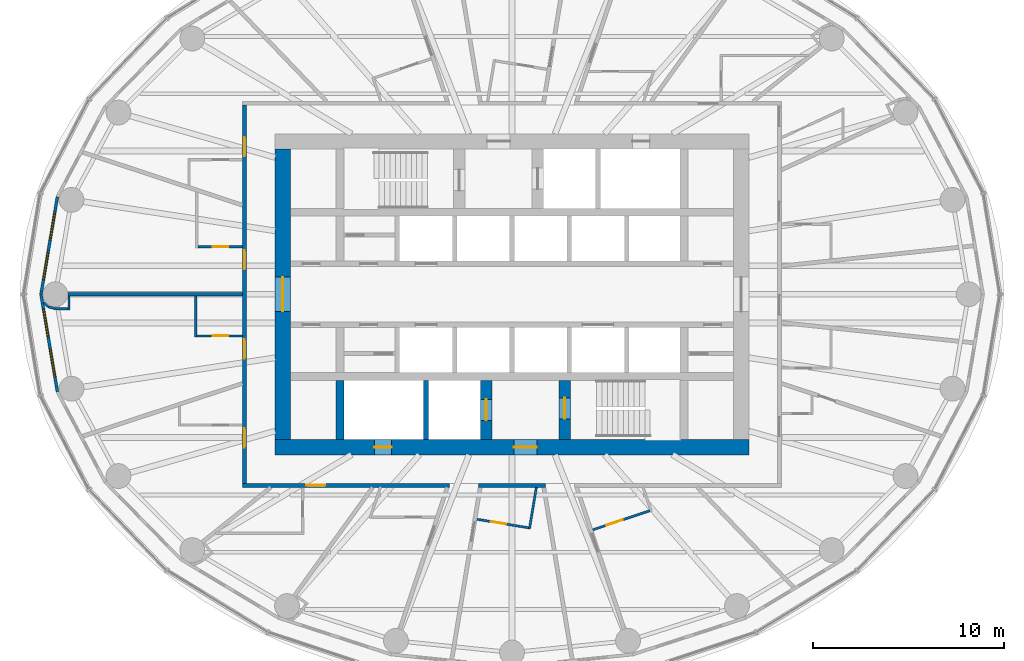
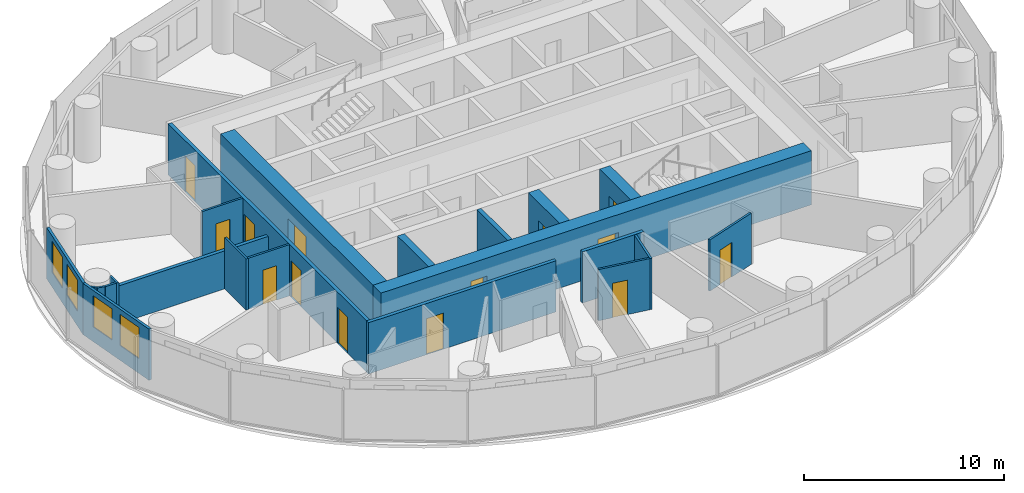
# One storey, part 7 of 13: 22 walls, 14 doors, 4 windows, 18 openings.
"""IFC4 building model written with IfcOpenShell, lengths in metres."""

from ifc_helpers import new_model, si_unit, direction, frame, frame_2d, origin, place, context, subcontext, project, spatial, rectangle, extrude, material, layer, layer_set, type_object, element, fill, save


model = new_model("IFC4")

# Units and contexts
model_context = context("Model", 3, precision=1e-05, world=origin(), true_north=direction((0.0, 1.0)))
body_context = subcontext(model_context, "Body", "Model", "MODEL_VIEW")
ifc_project = project(units=[si_unit("LENGTHUNIT", "METRE"), si_unit("AREAUNIT", "SQUARE_METRE"), si_unit("VOLUMEUNIT", "CUBIC_METRE"), si_unit("PLANEANGLEUNIT", "RADIAN"), si_unit("MASSUNIT", "GRAM", prefix="KILO")], contexts=[model_context])

# Site, building, storey
site_placement = place(None, origin())
site = spatial("IfcSite", under=ifc_project, at=site_placement, CompositionType="ELEMENT")
building_placement = place(site_placement, origin())
building = spatial("IfcBuilding", under=site, at=building_placement, Name="Hankou Lantern Tower", CompositionType="ELEMENT")
storey_placement = place(building_placement, frame((0.0, 0.0, 125.39990234375)))
storey = spatial("IfcBuildingStorey", under=building, at=storey_placement, Name="L32", CompositionType="ELEMENT", Elevation=125.39990234375)

# Wall, openings, doors
ifc_material_1 = material(Name="Concrete C60", Category="concrete")
ifc_layer_1 = layer(ifc_material_1, 0.800048828125)
ifc_layer_set_1 = layer_set([ifc_layer_1], Name="Concrete C60")
wall_type_1 = type_object("IfcWallType", Name="CW2 CORE WALL 800", PredefinedType="SHEAR", material=ifc_layer_set_1)
wall_1_placement = place(storey_placement, frame((12.39990234375, -8.0, 0.0), z_axis=(0.0, 0.0, 1.0), x_axis=(-1.0, 0.0, 0.0)))
wall_1 = element("IfcWall", 1, at=wall_1_placement, inside=storey, type_object=wall_type_1, Name="Core wall south L32", PredefinedType="SHEAR", context=body_context, shape_type="SweptSolid", body=[
    extrude(rectangle(XDim=24.7998046875, YDim=0.800048828125, at=frame_2d((12.39990234375, 0.0))), origin(), (0.0, 0.0, 1.0), 3.300048828125),
])
opening_1_placement = place(wall_1_placement, frame((11.10009765625, 0.0, 0.0)))
opening_1 = element("IfcOpeningElement", 2, at=opening_1_placement, cuts=wall_1, Name="Opening D5", PredefinedType="OPENING", context=body_context, shape_type="SweptSolid", body=[
    extrude(rectangle(XDim=1.199951171875, YDim=2.199951171875, at=frame_2d((0.60009765625, 1.10009765625))), frame((0.0, 0.409912109375, 0.0), z_axis=(0.0, -1.0, 0.0), x_axis=(1.0, 0.0, 0.0)), (0.0, 0.0, 1.0), 0.820068359375),
])
opening_2_placement = place(wall_1_placement, frame((18.699951171875, 0.0, 0.0)))
opening_2 = element("IfcOpeningElement", 3, at=opening_2_placement, cuts=wall_1, Name="Opening D7", PredefinedType="OPENING", context=body_context, shape_type="SweptSolid", body=[
    extrude(rectangle(XDim=0.89990234375, YDim=2.199951171875, at=frame_2d((0.449951171875, 1.10009765625))), frame((0.0, 0.409912109375, 0.0), z_axis=(0.0, -1.0, 0.0), x_axis=(1.0, 0.0, 0.0)), (0.0, 0.0, 1.0), 0.820068359375),
])
ifc_material_2 = material(Name="Steel door leaf", Category="steel")
door_type_1 = type_object("IfcDoorType", Name="D5 STAIR LOBBY DOOR 1200X2200", OperationType="SINGLE_SWING_LEFT", PredefinedType="DOOR", material=ifc_material_2)
door_1_placement = place(opening_1_placement, origin())
door_1 = element("IfcDoor", 4, at=door_1_placement, inside=storey, type_object=door_type_1, Name="Stair B lobby door", OperationType="SINGLE_SWING_LEFT", OverallHeight=2.199951171875, OverallWidth=1.199951171875, PredefinedType="DOOR", context=body_context, shape_type="SweptSolid", body=[
    extrude(rectangle(XDim=1.199951171875, YDim=2.199951171875, at=frame_2d((0.60009765625, 1.10009765625))), frame((0.0, 0.02490234375, 0.0), z_axis=(0.0, -1.0, 0.0), x_axis=(1.0, 0.0, 0.0)), (0.0, 0.0, 1.0), 0.050048828125),
])
fill(opening_1, door_1)
ifc_material_3 = material(Name="Steel door leaf", Category="steel")
door_type_2 = type_object("IfcDoorType", Name="D7 RISER DOOR 900X2200", OperationType="SINGLE_SWING_LEFT", PredefinedType="DOOR", material=ifc_material_3)
door_2_placement = place(opening_2_placement, origin())
door_2 = element("IfcDoor", 5, at=door_2_placement, inside=storey, type_object=door_type_2, Name="Riser S1 door", OperationType="SINGLE_SWING_RIGHT", OverallHeight=2.199951171875, OverallWidth=0.89990234375, PredefinedType="DOOR", context=body_context, shape_type="SweptSolid", body=[
    extrude(rectangle(XDim=0.89990234375, YDim=2.199951171875, at=frame_2d((0.449951171875, 1.10009765625))), frame((0.0, 0.02490234375, 0.0), z_axis=(0.0, -1.0, 0.0), x_axis=(1.0, 0.0, 0.0)), (0.0, 0.0, 1.0), 0.050048828125),
])
fill(opening_2, door_2)

# Wall, opening, door
wall_2_placement = place(storey_placement, frame((-12.0, 7.60009765625, 0.0), z_axis=(0.0, 0.0, 1.0), x_axis=(0.0, -1.0, 0.0)))
wall_2 = element("IfcWall", 6, at=wall_2_placement, inside=storey, type_object=wall_type_1, Name="Core wall west L32", PredefinedType="SHEAR", context=body_context, shape_type="SweptSolid", body=[
    extrude(rectangle(XDim=15.2001953125, YDim=0.800048828125, at=frame_2d((7.60009765625, 0.0))), origin(), (0.0, 0.0, 1.0), 3.300048828125),
])
opening_3_placement = place(wall_2_placement, frame((6.699951171875, 0.0, 0.0)))
opening_3 = element("IfcOpeningElement", 7, at=opening_3_placement, cuts=wall_2, Name="Opening D6", PredefinedType="OPENING", context=body_context, shape_type="SweptSolid", body=[
    extrude(rectangle(XDim=1.800048828125, YDim=2.199951171875, at=frame_2d((0.89990234375, 1.10009765625))), frame((0.0, 0.409912109375, 0.0), z_axis=(0.0, -1.0, 0.0), x_axis=(1.0, 0.0, 0.0)), (0.0, 0.0, 1.0), 0.820068359375),
])
ifc_material_4 = material(Name="Steel door leaf", Category="steel")
door_type_3 = type_object("IfcDoorType", Name="D6 LIFT LOBBY DOOR 1800X2200", OperationType="DOUBLE_DOOR_DOUBLE_SWING", PredefinedType="DOOR", material=ifc_material_4)
door_3_placement = place(opening_3_placement, origin())
door_3 = element("IfcDoor", 8, at=door_3_placement, inside=storey, type_object=door_type_3, Name="Lift lobby west door", OperationType="DOUBLE_DOOR_DOUBLE_SWING", OverallHeight=2.199951171875, OverallWidth=1.800048828125, PredefinedType="DOOR", context=body_context, shape_type="SweptSolid", body=[
    extrude(rectangle(XDim=1.800048828125, YDim=2.199951171875, at=frame_2d((0.89990234375, 1.10009765625))), frame((0.0, 0.02490234375, 0.0), z_axis=(0.0, -1.0, 0.0), x_axis=(1.0, 0.0, 0.0)), (0.0, 0.0, 1.0), 0.050048828125),
])
fill(opening_3, door_3)

# Wall
ifc_material_5 = material(Name="Concrete C60", Category="concrete")
ifc_layer_2 = layer(ifc_material_5, 0.39990234375)
ifc_layer_set_2 = layer_set([ifc_layer_2], Name="Concrete C60")
wall_type_2 = type_object("IfcWallType", Name="CW4 CORE CROSS WALL 400", PredefinedType="SHEAR", material=ifc_layer_set_2)
wall_3_placement = place(storey_placement, frame((-9.0, -7.60009765625, 0.0), z_axis=(0.0, 0.0, 1.0), x_axis=(0.0, 1.0, 0.0)))
element("IfcWall", 9, at=wall_3_placement, inside=storey, type_object=wall_type_2, Name="Core strip wall L32", PredefinedType="SHEAR", context=body_context, shape_type="SweptSolid", body=[
    extrude(rectangle(XDim=3.10009765625, YDim=0.39990234375, at=frame_2d((1.550048828125, 0.0))), origin(), (0.0, 0.0, 1.0), 3.300048828125),
])

# Wall, opening, door
ifc_material_6 = material(Name="Concrete C60", Category="concrete")
ifc_layer_3 = layer(ifc_material_6, 0.60009765625)
ifc_layer_set_3 = layer_set([ifc_layer_3], Name="Concrete C60")
wall_type_3 = type_object("IfcWallType", Name="CW6 STAIR AND SHAFT WALL 600", PredefinedType="SHEAR", material=ifc_layer_set_3)
wall_4_placement = place(storey_placement, frame((2.75, -7.60009765625, 0.0), z_axis=(0.0, 0.0, 1.0), x_axis=(0.0, 1.0, 0.0)))
wall_4 = element("IfcWall", 10, at=wall_4_placement, inside=storey, type_object=wall_type_3, Name="Stair wall L32", PredefinedType="SHEAR", context=body_context, shape_type="SweptSolid", body=[
    extrude(rectangle(XDim=3.10009765625, YDim=0.60009765625, at=frame_2d((1.550048828125, 0.0))), origin(), (0.0, 0.0, 1.0), 3.300048828125),
])
opening_4_placement = place(wall_4_placement, frame((1.074951171875, 0.0, 0.0)))
opening_4 = element("IfcOpeningElement", 11, at=opening_4_placement, cuts=wall_4, Name="Opening D4", PredefinedType="OPENING", context=body_context, shape_type="SweptSolid", body=[
    extrude(rectangle(XDim=1.10009765625, YDim=2.199951171875, at=frame_2d((0.550048828125, 1.10009765625))), frame((0.0, 0.31005859375, 0.0), z_axis=(0.0, -1.0, 0.0), x_axis=(1.0, 0.0, 0.0)), (0.0, 0.0, 1.0), 0.6201171875),
])
ifc_material_7 = material(Name="Steel door leaf", Category="steel")
door_type_4 = type_object("IfcDoorType", Name="D4 STAIR DOOR 1100X2200", OperationType="SINGLE_SWING_LEFT", PredefinedType="DOOR", material=ifc_material_7)
door_4_placement = place(opening_4_placement, origin())
door_4 = element("IfcDoor", 12, at=door_4_placement, inside=storey, type_object=door_type_4, Name="Stair B door", OperationType="SINGLE_SWING_RIGHT", OverallHeight=2.199951171875, OverallWidth=1.10009765625, PredefinedType="DOOR", context=body_context, shape_type="SweptSolid", body=[
    extrude(rectangle(XDim=1.10009765625, YDim=2.199951171875, at=frame_2d((0.550048828125, 1.10009765625))), frame((0.0, 0.02490234375, 0.0), z_axis=(0.0, -1.0, 0.0), x_axis=(1.0, 0.0, 0.0)), (0.0, 0.0, 1.0), 0.050048828125),
])
fill(opening_4, door_4)

wall_5_placement = place(storey_placement, frame((-1.35009765625, -7.60009765625, 0.0), z_axis=(0.0, 0.0, 1.0), x_axis=(0.0, 1.0, 0.0)))
wall_5 = element("IfcWall", 13, at=wall_5_placement, inside=storey, type_object=wall_type_3, Name="Firefighting lift shaft wall L32", PredefinedType="SHEAR", context=body_context, shape_type="SweptSolid", body=[
    extrude(rectangle(XDim=3.10009765625, YDim=0.60009765625, at=frame_2d((1.550048828125, 0.0))), origin(), (0.0, 0.0, 1.0), 3.300048828125),
])
opening_5_placement = place(wall_5_placement, frame((1.0, 0.0, 0.0)))
opening_5 = element("IfcOpeningElement", 14, at=opening_5_placement, cuts=wall_5, Name="Opening LD2", PredefinedType="OPENING", context=body_context, shape_type="SweptSolid", body=[
    extrude(rectangle(XDim=1.10009765625, YDim=2.199951171875, at=frame_2d((0.550048828125, 1.10009765625))), frame((0.0, 0.31005859375, 0.0), z_axis=(0.0, -1.0, 0.0), x_axis=(1.0, 0.0, 0.0)), (0.0, 0.0, 1.0), 0.6201171875),
])
ifc_material_8 = material(Name="Steel door leaf", Category="steel")
door_type_5 = type_object("IfcDoorType", Name="LD2 FIREFIGHTING LIFT LANDING DOOR 1100X2200", OperationType="DOUBLE_DOOR_SLIDING", PredefinedType="DOOR", material=ifc_material_8)
door_5_placement = place(opening_5_placement, origin())
door_5 = element("IfcDoor", 15, at=door_5_placement, inside=storey, type_object=door_type_5, Name="Firefighting lift FL2 landing door", OperationType="DOUBLE_DOOR_SLIDING", OverallHeight=2.199951171875, OverallWidth=1.10009765625, PredefinedType="DOOR", context=body_context, shape_type="SweptSolid", body=[
    extrude(rectangle(XDim=1.10009765625, YDim=2.199951171875, at=frame_2d((0.550048828125, 1.10009765625))), frame((0.0, 0.02490234375, 0.0), z_axis=(0.0, -1.0, 0.0), x_axis=(1.0, 0.0, 0.0)), (0.0, 0.0, 1.0), 0.050048828125),
])
fill(opening_5, door_5)

# Wall, openings, windows
ifc_material_9 = material(Name="Aluminium spandrel panel on steel studs", Category="steel")
ifc_layer_4 = layer(ifc_material_9, 0.14990234375)
ifc_layer_set_4 = layer_set([ifc_layer_4], Name="Aluminium spandrel panel on steel studs")
wall_type_4 = type_object("IfcWallType", Name="EW1 INNER SKIN WALL 150", PredefinedType="ELEMENTEDWALL", material=ifc_layer_set_4)
wall_6_placement = place(storey_placement, frame((-23.7919921875, 5.10009765625, 0.0), z_axis=(0.0, 0.0, 1.0), x_axis=(-0.165883894218, -0.986145290329, 0.0)))
wall_6 = element("IfcWall", 16, at=wall_6_placement, inside=storey, type_object=wall_type_4, Name="Inner skin R12-R13 L32", PredefinedType="ELEMENTEDWALL", context=body_context, shape_type="SweptSolid", body=[
    extrude(rectangle(XDim=5.171630859375, YDim=0.14990234375, at=frame_2d((2.5859375, 0.0))), origin(), (0.0, 0.0, 1.0), 3.1201171875),
])
opening_6_placement = place(wall_6_placement, frame((0.785888671875, 0.0, 0.89990234375)))
opening_6 = element("IfcOpeningElement", 17, at=opening_6_placement, cuts=wall_6, Name="Opening W2", PredefinedType="OPENING", context=body_context, shape_type="SweptSolid", body=[
    extrude(rectangle(XDim=1.5, YDim=1.89990234375, at=frame_2d((0.75, 0.949951171875))), frame((0.0, 0.0849609375, 0.0), z_axis=(0.0, -1.0, 0.0), x_axis=(1.0, 0.0, 0.0)), (0.0, 0.0, 1.0), 0.169921875),
])
opening_7_placement = place(wall_6_placement, frame((2.8857421875, 0.0, 0.89990234375)))
opening_7 = element("IfcOpeningElement", 18, at=opening_7_placement, cuts=wall_6, Name="Opening W2", PredefinedType="OPENING", context=body_context, shape_type="SweptSolid", body=[
    extrude(rectangle(XDim=1.5, YDim=1.89990234375, at=frame_2d((0.75, 0.949951171875))), frame((0.0, 0.0849609375, 0.0), z_axis=(0.0, -1.0, 0.0), x_axis=(1.0, 0.0, 0.0)), (0.0, 0.0, 1.0), 0.169921875),
])
ifc_material_10 = material(Name="Aluminium framed double glazed window", Category="aluminium")
window_type = type_object("IfcWindowType", Name="W2 GUEST ROOM WINDOW 1500X1900", PartitioningType="DOUBLE_PANEL_VERTICAL", PredefinedType="WINDOW", material=ifc_material_10)
window_1_placement = place(opening_6_placement, origin())
window_1 = element("IfcWindow", 19, at=window_1_placement, inside=storey, type_object=window_type, Name="Window R12.1 L32", OverallHeight=1.89990234375, OverallWidth=1.5, PartitioningType="SINGLE_PANEL", PredefinedType="WINDOW", context=body_context, shape_type="SweptSolid", body=[
    extrude(rectangle(XDim=1.5, YDim=1.89990234375, at=frame_2d((0.75, 0.949951171875))), frame((0.0, 0.030029296875, 0.0), z_axis=(0.0, -1.0, 0.0), x_axis=(1.0, 0.0, 0.0)), (0.0, 0.0, 1.0), 0.06005859375),
])
fill(opening_6, window_1)
window_2_placement = place(opening_7_placement, origin())
window_2 = element("IfcWindow", 20, at=window_2_placement, inside=storey, type_object=window_type, Name="Window R12.2 L32", OverallHeight=1.89990234375, OverallWidth=1.5, PartitioningType="SINGLE_PANEL", PredefinedType="WINDOW", context=body_context, shape_type="SweptSolid", body=[
    extrude(rectangle(XDim=1.5, YDim=1.89990234375, at=frame_2d((0.75, 0.949951171875))), frame((0.0, 0.030029296875, 0.0), z_axis=(0.0, -1.0, 0.0), x_axis=(1.0, 0.0, 0.0)), (0.0, 0.0, 1.0), 0.06005859375),
])
fill(opening_7, window_2)

wall_7_placement = place(storey_placement, frame((-24.64990234375, 0.0, 0.0), z_axis=(0.0, 0.0, 1.0), x_axis=(0.165883894218, -0.986145290329, 0.0)))
wall_7 = element("IfcWall", 21, at=wall_7_placement, inside=storey, type_object=wall_type_4, Name="Inner skin R13-R14 L32", PredefinedType="ELEMENTEDWALL", context=body_context, shape_type="SweptSolid", body=[
    extrude(rectangle(XDim=5.171630859375, YDim=0.14990234375, at=frame_2d((2.5859375, 0.0))), origin(), (0.0, 0.0, 1.0), 3.1201171875),
])
opening_8_placement = place(wall_7_placement, frame((0.785888671875, 0.0, 0.89990234375)))
opening_8 = element("IfcOpeningElement", 22, at=opening_8_placement, cuts=wall_7, Name="Opening W2", PredefinedType="OPENING", context=body_context, shape_type="SweptSolid", body=[
    extrude(rectangle(XDim=1.5, YDim=1.89990234375, at=frame_2d((0.75, 0.949951171875))), frame((0.0, 0.0849609375, 0.0), z_axis=(0.0, -1.0, 0.0), x_axis=(1.0, 0.0, 0.0)), (0.0, 0.0, 1.0), 0.169921875),
])
opening_9_placement = place(wall_7_placement, frame((2.8857421875, 0.0, 0.89990234375)))
opening_9 = element("IfcOpeningElement", 23, at=opening_9_placement, cuts=wall_7, Name="Opening W2", PredefinedType="OPENING", context=body_context, shape_type="SweptSolid", body=[
    extrude(rectangle(XDim=1.5, YDim=1.89990234375, at=frame_2d((0.75, 0.949951171875))), frame((0.0, 0.0849609375, 0.0), z_axis=(0.0, -1.0, 0.0), x_axis=(1.0, 0.0, 0.0)), (0.0, 0.0, 1.0), 0.169921875),
])
window_3_placement = place(opening_8_placement, origin())
window_3 = element("IfcWindow", 24, at=window_3_placement, inside=storey, type_object=window_type, Name="Window R13.1 L32", OverallHeight=1.89990234375, OverallWidth=1.5, PartitioningType="SINGLE_PANEL", PredefinedType="WINDOW", context=body_context, shape_type="SweptSolid", body=[
    extrude(rectangle(XDim=1.5, YDim=1.89990234375, at=frame_2d((0.75, 0.949951171875))), frame((0.0, 0.030029296875, 0.0), z_axis=(0.0, -1.0, 0.0), x_axis=(1.0, 0.0, 0.0)), (0.0, 0.0, 1.0), 0.06005859375),
])
fill(opening_8, window_3)
window_4_placement = place(opening_9_placement, origin())
window_4 = element("IfcWindow", 25, at=window_4_placement, inside=storey, type_object=window_type, Name="Window R13.2 L32", OverallHeight=1.89990234375, OverallWidth=1.5, PartitioningType="SINGLE_PANEL", PredefinedType="WINDOW", context=body_context, shape_type="SweptSolid", body=[
    extrude(rectangle(XDim=1.5, YDim=1.89990234375, at=frame_2d((0.75, 0.949951171875))), frame((0.0, 0.030029296875, 0.0), z_axis=(0.0, -1.0, 0.0), x_axis=(1.0, 0.0, 0.0)), (0.0, 0.0, 1.0), 0.06005859375),
])
fill(opening_9, window_4)

# Wall
ifc_material_11 = material(Name="Masonry lightweight concrete block", Category="masonry")
ifc_layer_5 = layer(ifc_material_11, 0.199951171875)
ifc_layer_set_5 = layer_set([ifc_layer_5], Name="Masonry lightweight concrete block")
wall_type_5 = type_object("IfcWallType", Name="IW1 GUEST ROOM PARTY WALL 200", PredefinedType="PARTITIONING", material=ifc_layer_set_5)
wall_8_placement = place(storey_placement, frame((-14.10009765625, 0.0, 0.0), z_axis=(0.0, 0.0, 1.0), x_axis=(-1.0, 0.0, 0.0)))
element("IfcWall", 26, at=wall_8_placement, inside=storey, type_object=wall_type_5, Name="Party wall R13", PredefinedType="PARTITIONING", context=body_context, shape_type="SweptSolid", body=[
    extrude(rectangle(XDim=9.14990234375, YDim=0.199951171875, at=frame_2d((4.574951171875, 0.0))), origin(), (0.0, 0.0, 1.0), 2.320068359375),
])

# Wall, openings, doors
ifc_material_12 = material(Name="Masonry lightweight concrete block", Category="masonry")
ifc_layer_6 = layer(ifc_material_12, 0.199951171875)
ifc_layer_set_6 = layer_set([ifc_layer_6], Name="Masonry lightweight concrete block")
wall_type_6 = type_object("IfcWallType", Name="IW2 CORRIDOR WALL 200", PredefinedType="PARTITIONING", material=ifc_layer_set_6)
wall_9_placement = place(storey_placement, frame((-14.0, 9.89990234375, 0.0), z_axis=(0.0, 0.0, 1.0), x_axis=(0.0, -1.0, 0.0)))
wall_9 = element("IfcWall", 27, at=wall_9_placement, inside=storey, type_object=wall_type_6, Name="Corridor wall west", PredefinedType="PARTITIONING", context=body_context, shape_type="SweptSolid", body=[
    extrude(rectangle(XDim=19.7998046875, YDim=0.199951171875, at=frame_2d((9.89990234375, 0.0))), origin(), (0.0, 0.0, 1.0), 3.1201171875),
])
opening_10_placement = place(wall_9_placement, frame((1.677734375, 0.0, 0.0)))
opening_10 = element("IfcOpeningElement", 28, at=opening_10_placement, cuts=wall_9, Name="Opening D2", PredefinedType="OPENING", context=body_context, shape_type="SweptSolid", body=[
    extrude(rectangle(XDim=1.0, YDim=2.199951171875, at=frame_2d((0.5, 1.10009765625))), frame((0.0, 0.10986328125, 0.0), z_axis=(0.0, -1.0, 0.0), x_axis=(1.0, 0.0, 0.0)), (0.0, 0.0, 1.0), 0.219970703125),
])
opening_11_placement = place(wall_9_placement, frame((7.59765625, 0.0, 0.0)))
opening_11 = element("IfcOpeningElement", 29, at=opening_11_placement, cuts=wall_9, Name="Opening D1", PredefinedType="OPENING", context=body_context, shape_type="SweptSolid", body=[
    extrude(rectangle(XDim=1.0, YDim=2.199951171875, at=frame_2d((0.5, 1.10009765625))), frame((0.0, 0.10986328125, 0.0), z_axis=(0.0, -1.0, 0.0), x_axis=(1.0, 0.0, 0.0)), (0.0, 0.0, 1.0), 0.219970703125),
])
opening_12_placement = place(wall_9_placement, frame((12.260009765625, 0.0, 0.0)))
opening_12 = element("IfcOpeningElement", 30, at=opening_12_placement, cuts=wall_9, Name="Opening D1", PredefinedType="OPENING", context=body_context, shape_type="SweptSolid", body=[
    extrude(rectangle(XDim=1.0, YDim=2.199951171875, at=frame_2d((0.5, 1.10009765625))), frame((0.0, 0.10986328125, 0.0), z_axis=(0.0, -1.0, 0.0), x_axis=(1.0, 0.0, 0.0)), (0.0, 0.0, 1.0), 0.219970703125),
])
opening_13_placement = place(wall_9_placement, frame((16.92236328125, 0.0, 0.0)))
opening_13 = element("IfcOpeningElement", 31, at=opening_13_placement, cuts=wall_9, Name="Opening D1", PredefinedType="OPENING", context=body_context, shape_type="SweptSolid", body=[
    extrude(rectangle(XDim=1.0, YDim=2.199951171875, at=frame_2d((0.5, 1.10009765625))), frame((0.0, 0.10986328125, 0.0), z_axis=(0.0, -1.0, 0.0), x_axis=(1.0, 0.0, 0.0)), (0.0, 0.0, 1.0), 0.219970703125),
])
ifc_material_13 = material(Name="Steel door leaf", Category="steel")
door_type_6 = type_object("IfcDoorType", Name="D1 GUEST ROOM DOOR 1000X2200", OperationType="SINGLE_SWING_LEFT", PredefinedType="DOOR", material=ifc_material_13)
door_6_placement = place(opening_11_placement, origin())
door_6 = element("IfcDoor", 32, at=door_6_placement, inside=storey, type_object=door_type_6, Name="Guest room door 3206", OperationType="SINGLE_SWING_LEFT", OverallHeight=2.199951171875, OverallWidth=1.0, PredefinedType="DOOR", context=body_context, shape_type="SweptSolid", body=[
    extrude(rectangle(XDim=1.0, YDim=2.199951171875, at=frame_2d((0.5, 1.10009765625))), frame((0.0, 0.02490234375, 0.0), z_axis=(0.0, -1.0, 0.0), x_axis=(1.0, 0.0, 0.0)), (0.0, 0.0, 1.0), 0.050048828125),
])
fill(opening_11, door_6)
door_7_placement = place(opening_12_placement, origin())
door_7 = element("IfcDoor", 33, at=door_7_placement, inside=storey, type_object=door_type_6, Name="Guest room door 3207", OperationType="SINGLE_SWING_RIGHT", OverallHeight=2.199951171875, OverallWidth=1.0, PredefinedType="DOOR", context=body_context, shape_type="SweptSolid", body=[
    extrude(rectangle(XDim=1.0, YDim=2.199951171875, at=frame_2d((0.5, 1.10009765625))), frame((0.0, 0.02490234375, 0.0), z_axis=(0.0, -1.0, 0.0), x_axis=(1.0, 0.0, 0.0)), (0.0, 0.0, 1.0), 0.050048828125),
])
fill(opening_12, door_7)
door_8_placement = place(opening_13_placement, origin())
door_8 = element("IfcDoor", 34, at=door_8_placement, inside=storey, type_object=door_type_6, Name="Guest room door 3208", OperationType="SINGLE_SWING_RIGHT", OverallHeight=2.199951171875, OverallWidth=1.0, PredefinedType="DOOR", context=body_context, shape_type="SweptSolid", body=[
    extrude(rectangle(XDim=1.0, YDim=2.199951171875, at=frame_2d((0.5, 1.10009765625))), frame((0.0, 0.02490234375, 0.0), z_axis=(0.0, -1.0, 0.0), x_axis=(1.0, 0.0, 0.0)), (0.0, 0.0, 1.0), 0.050048828125),
])
fill(opening_13, door_8)
ifc_material_14 = material(Name="Steel door leaf", Category="steel")
door_type_7 = type_object("IfcDoorType", Name="D2 SUITE DOOR 1000X2200", OperationType="SINGLE_SWING_LEFT", PredefinedType="DOOR", material=ifc_material_14)
door_9_placement = place(opening_10_placement, origin())
door_9 = element("IfcDoor", 35, at=door_9_placement, inside=storey, type_object=door_type_7, Name="Suite door 3205", OperationType="SINGLE_SWING_LEFT", OverallHeight=2.199951171875, OverallWidth=1.0, PredefinedType="DOOR", context=body_context, shape_type="SweptSolid", body=[
    extrude(rectangle(XDim=1.0, YDim=2.199951171875, at=frame_2d((0.5, 1.10009765625))), frame((0.0, 0.02490234375, 0.0), z_axis=(0.0, -1.0, 0.0), x_axis=(1.0, 0.0, 0.0)), (0.0, 0.0, 1.0), 0.050048828125),
])
fill(opening_10, door_9)

# Wall
wall_10_placement = place(storey_placement, frame((1.76513671875, -10.0, 0.0), z_axis=(0.0, 0.0, 1.0), x_axis=(-1.0, 0.0, 0.0)))
element("IfcWall", 36, at=wall_10_placement, inside=storey, type_object=wall_type_6, Name="Corridor wall south", PredefinedType="PARTITIONING", context=body_context, shape_type="SweptSolid", body=[
    extrude(rectangle(XDim=3.5302734375, YDim=0.199951171875, at=frame_2d((1.76513671875, 0.0))), origin(), (0.0, 0.0, 1.0), 3.1201171875),
])

# Wall, opening, door
wall_11_placement = place(storey_placement, frame((-3.282958984375, -10.0, 0.0), z_axis=(0.0, 0.0, 1.0), x_axis=(-1.0, 0.0, 0.0)))
wall_11 = element("IfcWall", 37, at=wall_11_placement, inside=storey, type_object=wall_type_6, Name="Corridor wall south", PredefinedType="PARTITIONING", context=body_context, shape_type="SweptSolid", body=[
    extrude(rectangle(XDim=10.817138671875, YDim=0.199951171875, at=frame_2d((5.40869140625, 0.0))), origin(), (0.0, 0.0, 1.0), 3.1201171875),
])
opening_14_placement = place(wall_11_placement, frame((6.482177734375, 0.0, 0.0)))
opening_14 = element("IfcOpeningElement", 38, at=opening_14_placement, cuts=wall_11, Name="Opening D1", PredefinedType="OPENING", context=body_context, shape_type="SweptSolid", body=[
    extrude(rectangle(XDim=1.0, YDim=2.199951171875, at=frame_2d((0.5, 1.10009765625))), frame((0.0, 0.10986328125, 0.0), z_axis=(0.0, -1.0, 0.0), x_axis=(1.0, 0.0, 0.0)), (0.0, 0.0, 1.0), 0.219970703125),
])
door_10_placement = place(opening_14_placement, origin())
door_10 = element("IfcDoor", 39, at=door_10_placement, inside=storey, type_object=door_type_6, Name="Guest room door 3209", OperationType="SINGLE_SWING_RIGHT", OverallHeight=2.199951171875, OverallWidth=1.0, PredefinedType="DOOR", context=body_context, shape_type="SweptSolid", body=[
    extrude(rectangle(XDim=1.0, YDim=2.199951171875, at=frame_2d((0.5, 1.10009765625))), frame((0.0, 0.02490234375, 0.0), z_axis=(0.0, -1.0, 0.0), x_axis=(1.0, 0.0, 0.0)), (0.0, 0.0, 1.0), 0.050048828125),
])
fill(opening_14, door_10)

ifc_material_15 = material(Name="Masonry lightweight concrete block", Category="masonry")
ifc_layer_7 = layer(ifc_material_15, 0.1201171875)
ifc_layer_set_7 = layer_set([ifc_layer_7], Name="Masonry lightweight concrete block")
wall_type_7 = type_object("IfcWallType", Name="IW3 BATHROOM WALL 120", PredefinedType="PARTITIONING", material=ifc_layer_set_7)
wall_12_placement = place(storey_placement, frame((-14.10009765625, 2.482177734375, 0.0), z_axis=(0.0, 0.0, 1.0), x_axis=(-1.0, 0.0, 0.0)))
wall_12 = element("IfcWall", 40, at=wall_12_placement, inside=storey, type_object=wall_type_7, Name="Box wall 3206 1", PredefinedType="PARTITIONING", context=body_context, shape_type="SweptSolid", body=[
    extrude(rectangle(XDim=2.33984375, YDim=0.1201171875, at=frame_2d((1.169921875, 0.0))), origin(), (0.0, 0.0, 1.0), 3.1201171875),
])
opening_15_placement = place(wall_12_placement, frame((0.75, 0.0, 0.0)))
opening_15 = element("IfcOpeningElement", 41, at=opening_15_placement, cuts=wall_12, Name="Opening D3", PredefinedType="OPENING", context=body_context, shape_type="SweptSolid", body=[
    extrude(rectangle(XDim=0.800048828125, YDim=2.10009765625, at=frame_2d((0.39990234375, 1.050048828125))), frame((0.0, 0.070068359375, 0.0), z_axis=(0.0, -1.0, 0.0), x_axis=(1.0, 0.0, 0.0)), (0.0, 0.0, 1.0), 0.14013671875),
])
ifc_material_16 = material(Name="Timber door leaf", Category="wood")
door_type_8 = type_object("IfcDoorType", Name="D3 BATHROOM DOOR 800X2100", OperationType="SINGLE_SWING_LEFT", PredefinedType="DOOR", material=ifc_material_16)
door_11_placement = place(opening_15_placement, origin())
door_11 = element("IfcDoor", 42, at=door_11_placement, inside=storey, type_object=door_type_8, Name="En-suite bathroom 3206 door", OperationType="SINGLE_SWING_LEFT", OverallHeight=2.10009765625, OverallWidth=0.800048828125, PredefinedType="DOOR", context=body_context, shape_type="SweptSolid", body=[
    extrude(rectangle(XDim=0.800048828125, YDim=2.10009765625, at=frame_2d((0.39990234375, 1.050048828125))), frame((0.0, 0.02490234375, 0.0), z_axis=(0.0, -1.0, 0.0), x_axis=(1.0, 0.0, 0.0)), (0.0, 0.0, 1.0), 0.050048828125),
])
fill(opening_15, door_11)

# Wall
wall_13_placement = place(storey_placement, frame((-16.550048828125, -0.10009765625, 0.0), z_axis=(0.0, 0.0, 1.0), x_axis=(0.0, -1.0, 0.0)))
element("IfcWall", 43, at=wall_13_placement, inside=storey, type_object=wall_type_7, Name="Box wall 3207 1", PredefinedType="PARTITIONING", context=body_context, shape_type="SweptSolid", body=[
    extrude(rectangle(XDim=2.139892578125, YDim=0.1201171875, at=frame_2d((1.06982421875, 0.0))), origin(), (0.0, 0.0, 1.0), 3.1201171875),
])

# Wall, opening, door
wall_14_placement = place(storey_placement, frame((-14.10009765625, -2.179931640625, 0.0), z_axis=(0.0, 0.0, 1.0), x_axis=(-1.0, 0.0, 0.0)))
wall_14 = element("IfcWall", 44, at=wall_14_placement, inside=storey, type_object=wall_type_7, Name="Box wall 3207 1", PredefinedType="PARTITIONING", context=body_context, shape_type="SweptSolid", body=[
    extrude(rectangle(XDim=2.389892578125, YDim=0.1201171875, at=frame_2d((1.19482421875, 0.0))), origin(), (0.0, 0.0, 1.0), 3.1201171875),
])
opening_16_placement = place(wall_14_placement, frame((0.75, 0.0, 0.0)))
opening_16 = element("IfcOpeningElement", 45, at=opening_16_placement, cuts=wall_14, Name="Opening D3", PredefinedType="OPENING", context=body_context, shape_type="SweptSolid", body=[
    extrude(rectangle(XDim=0.800048828125, YDim=2.10009765625, at=frame_2d((0.39990234375, 1.050048828125))), frame((0.0, 0.070068359375, 0.0), z_axis=(0.0, -1.0, 0.0), x_axis=(1.0, 0.0, 0.0)), (0.0, 0.0, 1.0), 0.14013671875),
])
door_12_placement = place(opening_16_placement, origin())
door_12 = element("IfcDoor", 46, at=door_12_placement, inside=storey, type_object=door_type_8, Name="En-suite bathroom 3207 door", OperationType="SINGLE_SWING_LEFT", OverallHeight=2.10009765625, OverallWidth=0.800048828125, PredefinedType="DOOR", context=body_context, shape_type="SweptSolid", body=[
    extrude(rectangle(XDim=0.800048828125, YDim=2.10009765625, at=frame_2d((0.39990234375, 1.050048828125))), frame((0.0, 0.02490234375, 0.0), z_axis=(0.0, -1.0, 0.0), x_axis=(1.0, 0.0, 0.0)), (0.0, 0.0, 1.0), 0.050048828125),
])
fill(opening_16, door_12)

# Wall
wall_15_placement = place(storey_placement, frame((1.271240234375, -10.1162109375, 0.0), z_axis=(0.0, 0.0, 1.0), x_axis=(-0.162672481395, -0.986680122328, 0.0)))
element("IfcWall", 47, at=wall_15_placement, inside=storey, type_object=wall_type_7, Name="Box wall 3212 1", PredefinedType="PARTITIONING", context=body_context, shape_type="SweptSolid", body=[
    extrude(rectangle(XDim=2.20166015625, YDim=0.1201171875, at=frame_2d((1.100830078125, 0.0))), origin(), (0.0, 0.0, 1.0), 3.1201171875),
])

# Wall, opening, door
wall_16_placement = place(storey_placement, frame((-1.83984375, -11.77392578125, 0.0), z_axis=(0.0, 0.0, 1.0), x_axis=(0.986676602341, -0.162693830222, 0.0)))
wall_16 = element("IfcWall", 48, at=wall_16_placement, inside=storey, type_object=wall_type_7, Name="Box wall 3212 1", PredefinedType="PARTITIONING", context=body_context, shape_type="SweptSolid", body=[
    extrude(rectangle(XDim=2.740234375, YDim=0.1201171875, at=frame_2d((1.3701171875, 0.0))), origin(), (0.0, 0.0, 1.0), 3.1201171875),
])
opening_17_placement = place(wall_16_placement, frame((0.75, 0.0, 0.0)))
opening_17 = element("IfcOpeningElement", 49, at=opening_17_placement, cuts=wall_16, Name="Opening D3", PredefinedType="OPENING", context=body_context, shape_type="SweptSolid", body=[
    extrude(rectangle(XDim=0.800048828125, YDim=2.10009765625, at=frame_2d((0.39990234375, 1.050048828125))), frame((0.0, 0.070068359375, 0.0), z_axis=(0.0, -1.0, 0.0), x_axis=(1.0, 0.0, 0.0)), (0.0, 0.0, 1.0), 0.14013671875),
])
door_13_placement = place(opening_17_placement, origin())
door_13 = element("IfcDoor", 50, at=door_13_placement, inside=storey, type_object=door_type_8, Name="En-suite bathroom 3212 door", OperationType="SINGLE_SWING_LEFT", OverallHeight=2.10009765625, OverallWidth=0.800048828125, PredefinedType="DOOR", context=body_context, shape_type="SweptSolid", body=[
    extrude(rectangle(XDim=0.800048828125, YDim=2.10009765625, at=frame_2d((0.39990234375, 1.050048828125))), frame((0.0, 0.02490234375, 0.0), z_axis=(0.0, -1.0, 0.0), x_axis=(1.0, 0.0, 0.0)), (0.0, 0.0, 1.0), 0.050048828125),
])
fill(opening_17, door_13)

wall_17_placement = place(storey_placement, frame((4.233642578125, -12.324951171875, 0.0), z_axis=(0.0, 0.0, 1.0), x_axis=(0.948239154858, 0.317557089663, 0.0)))
wall_17 = element("IfcWall", 51, at=wall_17_placement, inside=storey, type_object=wall_type_7, Name="Box wall 3214 1", PredefinedType="PARTITIONING", context=body_context, shape_type="SweptSolid", body=[
    extrude(rectangle(XDim=3.139892578125, YDim=0.1201171875, at=frame_2d((1.56982421875, 0.0))), origin(), (0.0, 0.0, 1.0), 3.1201171875),
])
opening_18_placement = place(wall_17_placement, frame((0.75, 0.0, 0.0)))
opening_18 = element("IfcOpeningElement", 52, at=opening_18_placement, cuts=wall_17, Name="Opening D26", PredefinedType="OPENING", context=body_context, shape_type="SweptSolid", body=[
    extrude(rectangle(XDim=0.89990234375, YDim=2.10009765625, at=frame_2d((0.449951171875, 1.050048828125))), frame((0.0, 0.070068359375, 0.0), z_axis=(0.0, -1.0, 0.0), x_axis=(1.0, 0.0, 0.0)), (0.0, 0.0, 1.0), 0.14013671875),
])
ifc_material_17 = material(Name="Timber door leaf", Category="wood")
door_type_9 = type_object("IfcDoorType", Name="D26 ACCESSIBLE BATHROOM DOOR 900X2100", OperationType="SLIDING_TO_LEFT", PredefinedType="DOOR", material=ifc_material_17)
door_14_placement = place(opening_18_placement, origin())
door_14 = element("IfcDoor", 53, at=door_14_placement, inside=storey, type_object=door_type_9, Name="Accessible bathroom 3214 door", OperationType="SLIDING_TO_LEFT", OverallHeight=2.10009765625, OverallWidth=0.89990234375, PredefinedType="DOOR", context=body_context, shape_type="SweptSolid", body=[
    extrude(rectangle(XDim=0.89990234375, YDim=2.10009765625, at=frame_2d((0.449951171875, 1.050048828125))), frame((0.0, 0.02490234375, 0.0), z_axis=(0.0, -1.0, 0.0), x_axis=(1.0, 0.0, 0.0)), (0.0, 0.0, 1.0), 0.050048828125),
])
fill(opening_18, door_14)

# Walls
ifc_material_18 = material(Name="Masonry lightweight concrete block", Category="masonry")
ifc_layer_8 = layer(ifc_material_18, 0.1201171875)
ifc_layer_set_8 = layer_set([ifc_layer_8], Name="Masonry lightweight concrete block")
wall_type_8 = type_object("IfcWallType", Name="IW4 PARTITION 120", PredefinedType="PARTITIONING", material=ifc_layer_set_8)
wall_18_placement = place(storey_placement, frame((-23.18994140625, -0.10009765625, 0.0), z_axis=(0.0, 0.0, 1.0), x_axis=(0.0, -1.0, 0.0)))
element("IfcWall", 54, at=wall_18_placement, inside=storey, type_object=wall_type_8, Name="Column casing R13 return", PredefinedType="PARTITIONING", context=body_context, shape_type="SweptSolid", body=[
    extrude(rectangle(XDim=0.715576171875, YDim=0.1201171875, at=frame_2d((0.35791015625, 0.0))), origin(), (0.0, 0.0, 1.0), 3.1201171875),
])
wall_19_placement = place(storey_placement, frame((-23.25, -0.755859375, 0.0), z_axis=(0.0, 0.0, 1.0), x_axis=(-1.0, 0.0, 0.0)))
element("IfcWall", 55, at=wall_19_placement, inside=storey, type_object=wall_type_8, Name="Column casing R13", PredefinedType="PARTITIONING", context=body_context, shape_type="SweptSolid", body=[
    extrude(rectangle(XDim=0.64990234375, YDim=0.1201171875, at=frame_2d((0.324951171875, 0.0))), origin(), (0.0, 0.0, 1.0), 3.1201171875),
])
wall_20_placement = place(storey_placement, frame((-23.89990234375, -0.755859375, 0.0), z_axis=(0.0, 0.0, 1.0), x_axis=(-0.965892334856, 0.2589440045, 0.0)))
element("IfcWall", 56, at=wall_20_placement, inside=storey, type_object=wall_type_8, Name="Column casing R13", PredefinedType="PARTITIONING", context=body_context, shape_type="SweptSolid", body=[
    extrude(rectangle(XDim=0.391357421875, YDim=0.1201171875, at=frame_2d((0.19580078125, 0.0))), origin(), (0.0, 0.0, 1.0), 3.1201171875),
])
wall_21_placement = place(storey_placement, frame((-24.27783203125, -0.654541015625, 0.0), z_axis=(0.0, 0.0, 1.0), x_axis=(-0.707106781187, 0.707106781187, 0.0)))
element("IfcWall", 57, at=wall_21_placement, inside=storey, type_object=wall_type_8, Name="Column casing R13", PredefinedType="PARTITIONING", context=body_context, shape_type="SweptSolid", body=[
    extrude(rectangle(XDim=0.317626953125, YDim=0.1201171875, at=frame_2d((0.15869140625, 0.0))), origin(), (0.0, 0.0, 1.0), 3.1201171875),
])
ifc_material_19 = material(Name="Masonry autoclaved aerated concrete block", Category="masonry")
ifc_layer_9 = layer(ifc_material_19, 0.25)
ifc_layer_set_9 = layer_set([ifc_layer_9], Name="Masonry autoclaved aerated concrete block")
wall_type_9 = type_object("IfcWallType", Name="SW1 SHAFT BLOCK WALL 250", PredefinedType="PARTITIONING", material=ifc_layer_set_9)
wall_22_placement = place(storey_placement, frame((-4.5, -7.60009765625, 0.0), z_axis=(0.0, 0.0, 1.0), x_axis=(0.0, 1.0, 0.0)))
element("IfcWall", 58, at=wall_22_placement, inside=storey, type_object=wall_type_9, Name="Riser wall L32", PredefinedType="PARTITIONING", context=body_context, shape_type="SweptSolid", body=[
    extrude(rectangle(XDim=3.10009765625, YDim=0.25, at=frame_2d((1.550048828125, 0.0))), origin(), (0.0, 0.0, 1.0), 3.300048828125),
])

save(model, "model.ifc")
